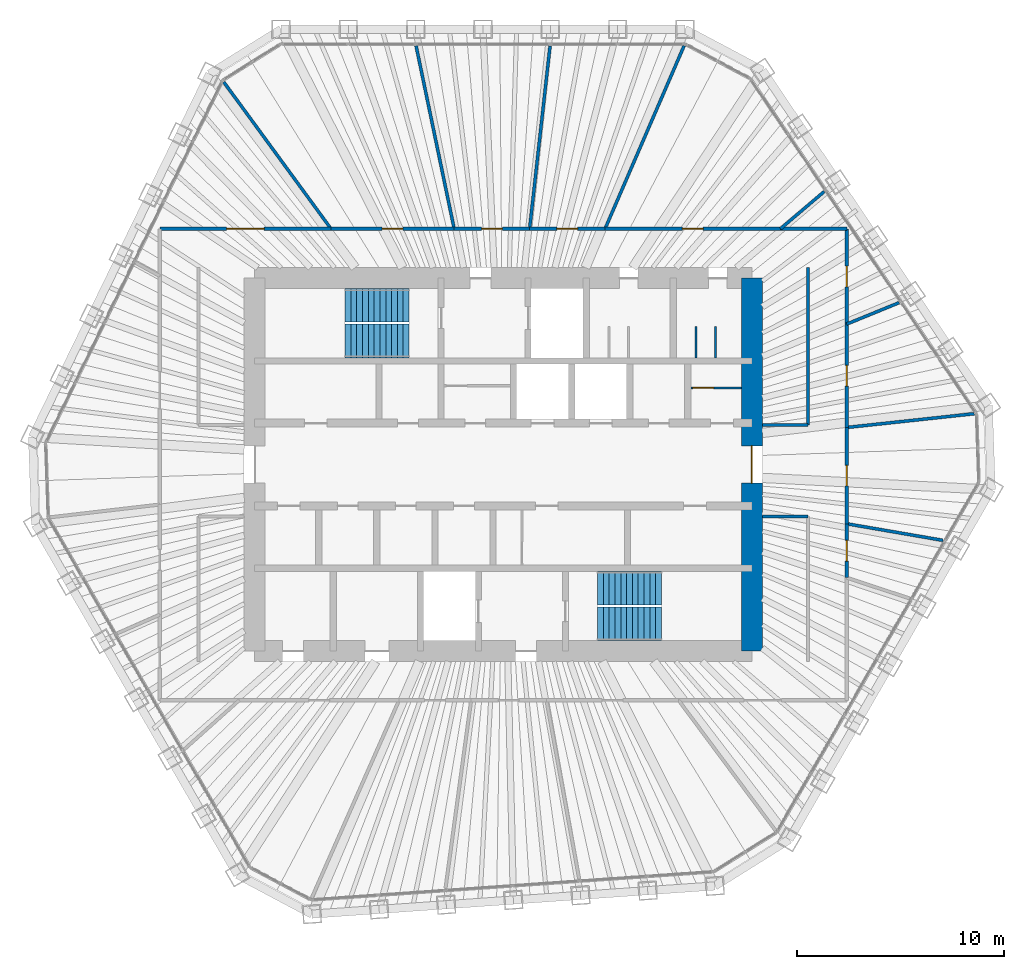
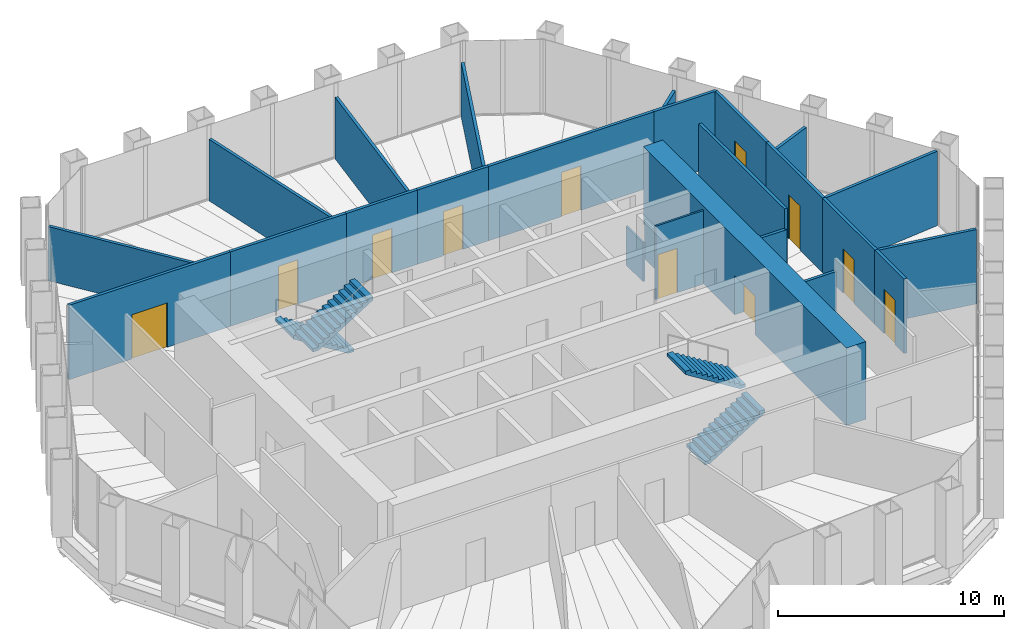
# One storey, part 13 of 14: 25 walls, 11 doors, 4 stair flights, 11 openings, 2 elements without a shape of their own.
"""IFC4 building model written with IfcOpenShell, lengths in metres."""

from ifc_helpers import new_model, si_unit, direction, frame, frame_2d, origin, place, context, subcontext, project, spatial, polyline, rectangle, outline, extrude, material, layer, layer_set, type_object, element, fill, aggregate, save


model = new_model("IFC4")

# Units and contexts
model_context = context("Model", 3, precision=1e-05, world=origin(), true_north=direction((0.0, 1.0)))
body_context = subcontext(model_context, "Body", "Model", "MODEL_VIEW")
ifc_project = project(units=[si_unit("LENGTHUNIT", "METRE"), si_unit("AREAUNIT", "SQUARE_METRE"), si_unit("VOLUMEUNIT", "CUBIC_METRE"), si_unit("PLANEANGLEUNIT", "RADIAN"), si_unit("MASSUNIT", "GRAM", prefix="KILO")], contexts=[model_context])

# Site, building, storey
site_placement = place(None, origin())
site = spatial("IfcSite", under=ifc_project, at=site_placement, CompositionType="ELEMENT")
building_placement = place(site_placement, origin())
building = spatial("IfcBuilding", under=site, at=building_placement, Name="Qingtian Harvest Tower", CompositionType="ELEMENT")
storey_placement = place(building_placement, frame((0.0, 0.0, 278.800048828125)))
storey = spatial("IfcBuildingStorey", under=building, at=storey_placement, Name="L61", CompositionType="ELEMENT", Elevation=278.800048828125)

# Wall, opening, door
ifc_material_1 = material(Name="Concrete fc' 70 MPa", Category="concrete")
ifc_layer_1 = layer(ifc_material_1, 1.0)
ifc_layer_set_1 = layer_set([ifc_layer_1], Name="Core wall RC3 1000")
wall_type_1 = type_object("IfcWallType", Name="Core wall RC3 1000", PredefinedType="SHEAR", material=ifc_layer_set_1)
wall_1_placement = place(storey_placement, frame((12.0, -9.0, 0.0), z_axis=(0.0, 0.0, 1.0), x_axis=(0.0, 1.0, 0.0)))
wall_1 = element("IfcWall", 1, at=wall_1_placement, inside=storey, type_object=wall_type_1, Name="Core wall CE L61", PredefinedType="SHEAR", context=body_context, shape_type="SweptSolid", body=[
    extrude(rectangle(XDim=18.0, YDim=1.0, at=frame_2d((9.0, 0.0))), origin(), (0.0, 0.0, 1.0), 4.199951171875),
])
opening_1_placement = place(wall_1_placement, frame((8.10009765625, 0.0, 0.0)))
opening_1 = element("IfcOpeningElement", 2, at=opening_1_placement, cuts=wall_1, Name="Opening FD2", PredefinedType="OPENING", context=body_context, shape_type="SweptSolid", body=[
    extrude(rectangle(XDim=1.800048828125, YDim=2.10009765625, at=frame_2d((0.89990234375, 1.050048828125))), frame((0.0, 0.510009765625, 0.0), z_axis=(0.0, -1.0, 0.0), x_axis=(1.0, 0.0, 0.0)), (0.0, 0.0, 1.0), 1.02001953125),
])
ifc_material_2 = material(Name="Steel-faced door leaf", Category="steel")
door_type_1 = type_object("IfcDoorType", Name="Fire door FD2 double 1 HR", OperationType="DOUBLE_DOOR_DOUBLE_SWING", PredefinedType="DOOR", material=ifc_material_2)
door_1_placement = place(opening_1_placement, origin())
door_1 = element("IfcDoor", 3, at=door_1_placement, inside=storey, type_object=door_type_1, Name="LOBBY-E door L61", OperationType="DOUBLE_DOOR_DOUBLE_SWING", OverallHeight=2.10009765625, OverallWidth=1.800048828125, PredefinedType="DOOR", context=body_context, shape_type="SweptSolid", body=[
    extrude(rectangle(XDim=1.800048828125, YDim=2.10009765625, at=frame_2d((0.89990234375, 1.050048828125))), frame((0.0, 0.02490234375, 0.0), z_axis=(0.0, -1.0, 0.0), x_axis=(1.0, 0.0, 0.0)), (0.0, 0.0, 1.0), 0.050048828125),
])
fill(opening_1, door_1)

# Wall
ifc_material_3 = material(Name="Gypsum board on steel studs", Category="steel")
ifc_layer_2 = layer(ifc_material_3, 0.14990234375)
ifc_layer_set_2 = layer_set([ifc_layer_2], Name="Partition PT1 150")
wall_type_2 = type_object("IfcWallType", Name="Partition PT1 150", PredefinedType="PARTITIONING", material=ifc_layer_set_2)
wall_2_placement = place(storey_placement, frame((-13.486083984375, 18.455322265625, 0.0), z_axis=(0.0, 0.0, 1.0), x_axis=(0.589997742419, -0.807404894672, 0.0)))
element("IfcWall", 4, at=wall_2_placement, inside=storey, type_object=wall_type_2, Name="Training room wall L61", PredefinedType="PARTITIONING", context=body_context, shape_type="SweptSolid", body=[
    extrude(rectangle(XDim=8.769287109375, YDim=0.14990234375, at=frame_2d((4.384765625, 0.0))), origin(), (0.0, 0.0, 1.0), 2.929931640625),
])

# Wall, opening, door
wall_3_placement = place(storey_placement, frame((-8.312255859375, 11.375, 0.0), z_axis=(0.0, 0.0, 1.0), x_axis=(1.0, 0.0, 0.0)))
wall_3 = element("IfcWall", 5, at=wall_3_placement, inside=storey, type_object=wall_type_2, Name="Training room wall L61", PredefinedType="PARTITIONING", context=body_context, shape_type="SweptSolid", body=[
    extrude(rectangle(XDim=5.944091796875, YDim=0.14990234375, at=frame_2d((2.97216796875, 0.0))), origin(), (0.0, 0.0, 1.0), 4.030029296875),
])
opening_2_placement = place(wall_3_placement, frame((2.47216796875, 0.0, 0.0)))
opening_2 = element("IfcOpeningElement", 6, at=opening_2_placement, cuts=wall_3, Name="Opening D2", PredefinedType="OPENING", context=body_context, shape_type="SweptSolid", body=[
    extrude(rectangle(XDim=1.0, YDim=2.39990234375, at=frame_2d((0.5, 1.199951171875))), frame((0.0, 0.0849609375, 0.0), z_axis=(0.0, -1.0, 0.0), x_axis=(1.0, 0.0, 0.0)), (0.0, 0.0, 1.0), 0.169921875),
])
ifc_material_4 = material(Name="Laminated timber door leaf", Category="wood")
door_type_2 = type_object("IfcDoorType", Name="Room door D2 single", OperationType="SINGLE_SWING_LEFT", PredefinedType="DOOR", material=ifc_material_4)
door_2_placement = place(opening_2_placement, origin())
door_2 = element("IfcDoor", 7, at=door_2_placement, inside=storey, type_object=door_type_2, Name="Training room door L61", OperationType="SINGLE_SWING_RIGHT", OverallHeight=2.39990234375, OverallWidth=1.0, PredefinedType="DOOR", context=body_context, shape_type="SweptSolid", body=[
    extrude(rectangle(XDim=1.0, YDim=2.39990234375, at=frame_2d((0.5, 1.199951171875))), frame((0.0, 0.02490234375, 0.0), z_axis=(0.0, -1.0, 0.0), x_axis=(1.0, 0.0, 0.0)), (0.0, 0.0, 1.0), 0.050048828125),
])
fill(opening_2, door_2)

# Wall
wall_4_placement = place(storey_placement, frame((-4.205810546875, 20.2021484375, 0.0), z_axis=(0.0, 0.0, 1.0), x_axis=(0.203811521205, -0.979010144904, 0.0)))
element("IfcWall", 8, at=wall_4_placement, inside=storey, type_object=wall_type_2, Name="Training room wall L61", PredefinedType="PARTITIONING", context=body_context, shape_type="SweptSolid", body=[
    extrude(rectangle(XDim=9.016357421875, YDim=0.14990234375, at=frame_2d((4.50830078125, 0.0))), origin(), (0.0, 0.0, 1.0), 3.329833984375),
])

# Wall, opening, door
wall_5_placement = place(storey_placement, frame((-2.3681640625, 11.375, 0.0), z_axis=(0.0, 0.0, 1.0), x_axis=(1.0, 0.0, 0.0)))
wall_5 = element("IfcWall", 9, at=wall_5_placement, inside=storey, type_object=wall_type_2, Name="Training room wall L61", PredefinedType="PARTITIONING", context=body_context, shape_type="SweptSolid", body=[
    extrude(rectangle(XDim=3.64013671875, YDim=0.14990234375, at=frame_2d((1.820068359375, 0.0))), origin(), (0.0, 0.0, 1.0), 4.030029296875),
])
opening_3_placement = place(wall_5_placement, frame((1.320068359375, 0.0, 0.0)))
opening_3 = element("IfcOpeningElement", 10, at=opening_3_placement, cuts=wall_5, Name="Opening D2", PredefinedType="OPENING", context=body_context, shape_type="SweptSolid", body=[
    extrude(rectangle(XDim=1.0, YDim=2.39990234375, at=frame_2d((0.5, 1.199951171875))), frame((0.0, 0.0849609375, 0.0), z_axis=(0.0, -1.0, 0.0), x_axis=(1.0, 0.0, 0.0)), (0.0, 0.0, 1.0), 0.169921875),
])
door_3_placement = place(opening_3_placement, origin())
door_3 = element("IfcDoor", 11, at=door_3_placement, inside=storey, type_object=door_type_2, Name="Training room door L61", OperationType="SINGLE_SWING_LEFT", OverallHeight=2.39990234375, OverallWidth=1.0, PredefinedType="DOOR", context=body_context, shape_type="SweptSolid", body=[
    extrude(rectangle(XDim=1.0, YDim=2.39990234375, at=frame_2d((0.5, 1.199951171875))), frame((0.0, 0.02490234375, 0.0), z_axis=(0.0, -1.0, 0.0), x_axis=(1.0, 0.0, 0.0)), (0.0, 0.0, 1.0), 0.050048828125),
])
fill(opening_3, door_3)

# Wall
wall_6_placement = place(storey_placement, frame((2.2587890625, 20.20068359375, 0.0), z_axis=(0.0, 0.0, 1.0), x_axis=(-0.11111945026, -0.993807057619, 0.0)))
element("IfcWall", 12, at=wall_6_placement, inside=storey, type_object=wall_type_2, Name="Training room wall L61", PredefinedType="PARTITIONING", context=body_context, shape_type="SweptSolid", body=[
    extrude(rectangle(XDim=8.880615234375, YDim=0.14990234375, at=frame_2d((4.4404296875, 0.0))), origin(), (0.0, 0.0, 1.0), 3.329833984375),
])

# Wall, opening, door
wall_7_placement = place(storey_placement, frame((1.27197265625, 11.375, 0.0), z_axis=(0.0, 0.0, 1.0), x_axis=(1.0, 0.0, 0.0)))
wall_7 = element("IfcWall", 13, at=wall_7_placement, inside=storey, type_object=wall_type_2, Name="Training room wall L61", PredefinedType="PARTITIONING", context=body_context, shape_type="SweptSolid", body=[
    extrude(rectangle(XDim=3.639892578125, YDim=0.14990234375, at=frame_2d((1.81982421875, 0.0))), origin(), (0.0, 0.0, 1.0), 4.030029296875),
])
opening_4_placement = place(wall_7_placement, frame((1.320068359375, 0.0, 0.0)))
opening_4 = element("IfcOpeningElement", 14, at=opening_4_placement, cuts=wall_7, Name="Opening D2", PredefinedType="OPENING", context=body_context, shape_type="SweptSolid", body=[
    extrude(rectangle(XDim=1.0, YDim=2.39990234375, at=frame_2d((0.5, 1.199951171875))), frame((0.0, 0.0849609375, 0.0), z_axis=(0.0, -1.0, 0.0), x_axis=(1.0, 0.0, 0.0)), (0.0, 0.0, 1.0), 0.169921875),
])
door_4_placement = place(opening_4_placement, origin())
door_4 = element("IfcDoor", 15, at=door_4_placement, inside=storey, type_object=door_type_2, Name="Training room door L61", OperationType="SINGLE_SWING_LEFT", OverallHeight=2.39990234375, OverallWidth=1.0, PredefinedType="DOOR", context=body_context, shape_type="SweptSolid", body=[
    extrude(rectangle(XDim=1.0, YDim=2.39990234375, at=frame_2d((0.5, 1.199951171875))), frame((0.0, 0.02490234375, 0.0), z_axis=(0.0, -1.0, 0.0), x_axis=(1.0, 0.0, 0.0)), (0.0, 0.0, 1.0), 0.050048828125),
])
fill(opening_4, door_4)

# Wall
wall_8_placement = place(storey_placement, frame((8.726318359375, 20.208251953125, 0.0), z_axis=(0.0, 0.0, 1.0), x_axis=(-0.396444279146, -0.918058785445, 0.0)))
element("IfcWall", 16, at=wall_8_placement, inside=storey, type_object=wall_type_2, Name="Private office wall L61", PredefinedType="PARTITIONING", context=body_context, shape_type="SweptSolid", body=[
    extrude(rectangle(XDim=9.62158203125, YDim=0.14990234375, at=frame_2d((4.810791015625, 0.0))), origin(), (0.0, 0.0, 1.0), 2.929931640625),
])

# Wall, opening, door
wall_9_placement = place(storey_placement, frame((4.911865234375, 11.375, 0.0), z_axis=(0.0, 0.0, 1.0), x_axis=(1.0, 0.0, 0.0)))
wall_9 = element("IfcWall", 17, at=wall_9_placement, inside=storey, type_object=wall_type_2, Name="Private office wall L61", PredefinedType="PARTITIONING", context=body_context, shape_type="SweptSolid", body=[
    extrude(rectangle(XDim=8.463134765625, YDim=0.14990234375, at=frame_2d((4.2314453125, 0.0))), origin(), (0.0, 0.0, 1.0), 4.030029296875),
])
opening_5_placement = place(wall_9_placement, frame((3.7314453125, 0.0, 0.0)))
opening_5 = element("IfcOpeningElement", 18, at=opening_5_placement, cuts=wall_9, Name="Opening D2", PredefinedType="OPENING", context=body_context, shape_type="SweptSolid", body=[
    extrude(rectangle(XDim=1.0, YDim=2.39990234375, at=frame_2d((0.5, 1.199951171875))), frame((0.0, 0.0849609375, 0.0), z_axis=(0.0, -1.0, 0.0), x_axis=(1.0, 0.0, 0.0)), (0.0, 0.0, 1.0), 0.169921875),
])
door_5_placement = place(opening_5_placement, origin())
door_5 = element("IfcDoor", 19, at=door_5_placement, inside=storey, type_object=door_type_2, Name="Private office door L61", OperationType="SINGLE_SWING_LEFT", OverallHeight=2.39990234375, OverallWidth=1.0, PredefinedType="DOOR", context=body_context, shape_type="SweptSolid", body=[
    extrude(rectangle(XDim=1.0, YDim=2.39990234375, at=frame_2d((0.5, 1.199951171875))), frame((0.0, 0.02490234375, 0.0), z_axis=(0.0, -1.0, 0.0), x_axis=(1.0, 0.0, 0.0)), (0.0, 0.0, 1.0), 0.050048828125),
])
fill(opening_5, door_5)

# Walls
wall_10_placement = place(storey_placement, frame((15.48388671875, 13.168701171875, 0.0), z_axis=(0.0, 0.0, 1.0), x_axis=(-0.761734753955, -0.647889006403, 0.0)))
element("IfcWall", 20, at=wall_10_placement, inside=storey, type_object=wall_type_2, Name="Private office wall L61", PredefinedType="PARTITIONING", context=body_context, shape_type="SweptSolid", body=[
    extrude(rectangle(XDim=2.7685546875, YDim=0.14990234375, at=frame_2d((1.38427734375, 0.0))), origin(), (0.0, 0.0, 1.0), 3.329833984375),
])
wall_11_placement = place(storey_placement, frame((13.375, 11.375, 0.0), z_axis=(0.0, 0.0, 1.0), x_axis=(1.0, 0.0, 0.0)))
element("IfcWall", 21, at=wall_11_placement, inside=storey, type_object=wall_type_2, Name="Private office wall L61", PredefinedType="PARTITIONING", context=body_context, shape_type="SweptSolid", body=[
    extrude(rectangle(XDim=3.199951171875, YDim=0.14990234375, at=frame_2d((1.60009765625, 0.0))), origin(), (0.0, 0.0, 1.0), 4.030029296875),
])

# Wall, opening, door
wall_12_placement = place(storey_placement, frame((16.574951171875, 11.375, 0.0), z_axis=(0.0, 0.0, 1.0), x_axis=(0.0, -1.0, 0.0)))
wall_12 = element("IfcWall", 22, at=wall_12_placement, inside=storey, type_object=wall_type_2, Name="Private office wall L61", PredefinedType="PARTITIONING", context=body_context, shape_type="SweptSolid", body=[
    extrude(rectangle(XDim=4.597412109375, YDim=0.14990234375, at=frame_2d((2.298828125, 0.0))), origin(), (0.0, 0.0, 1.0), 4.030029296875),
])
opening_6_placement = place(wall_12_placement, frame((1.798828125, 0.0, 0.0)))
opening_6 = element("IfcOpeningElement", 23, at=opening_6_placement, cuts=wall_12, Name="Opening D2", PredefinedType="OPENING", context=body_context, shape_type="SweptSolid", body=[
    extrude(rectangle(XDim=1.0, YDim=2.39990234375, at=frame_2d((0.5, 1.199951171875))), frame((0.0, 0.0849609375, 0.0), z_axis=(0.0, -1.0, 0.0), x_axis=(1.0, 0.0, 0.0)), (0.0, 0.0, 1.0), 0.169921875),
])
door_6_placement = place(opening_6_placement, origin())
door_6 = element("IfcDoor", 24, at=door_6_placement, inside=storey, type_object=door_type_2, Name="Private office door L61", OperationType="SINGLE_SWING_LEFT", OverallHeight=2.39990234375, OverallWidth=1.0, PredefinedType="DOOR", context=body_context, shape_type="SweptSolid", body=[
    extrude(rectangle(XDim=1.0, YDim=2.39990234375, at=frame_2d((0.5, 1.199951171875))), frame((0.0, 0.02490234375, 0.0), z_axis=(0.0, -1.0, 0.0), x_axis=(1.0, 0.0, 0.0)), (0.0, 0.0, 1.0), 0.050048828125),
])
fill(opening_6, door_6)

# Wall
wall_13_placement = place(storey_placement, frame((19.10009765625, 7.81005859375, 0.0), z_axis=(0.0, 0.0, 1.0), x_axis=(-0.925616791812, -0.378462091518, 0.0)))
element("IfcWall", 25, at=wall_13_placement, inside=storey, type_object=wall_type_2, Name="Workplace zone wall L61", PredefinedType="PARTITIONING", context=body_context, shape_type="SweptSolid", body=[
    extrude(rectangle(XDim=2.72802734375, YDim=0.14990234375, at=frame_2d((1.364013671875, 0.0))), origin(), (0.0, 0.0, 1.0), 3.329833984375),
])

# Wall, opening, door
wall_14_placement = place(storey_placement, frame((16.574951171875, 6.777587890625, 0.0), z_axis=(0.0, 0.0, 1.0), x_axis=(0.0, -1.0, 0.0)))
wall_14 = element("IfcWall", 26, at=wall_14_placement, inside=storey, type_object=wall_type_2, Name="Workplace zone wall L61", PredefinedType="PARTITIONING", context=body_context, shape_type="SweptSolid", body=[
    extrude(rectangle(XDim=4.989501953125, YDim=0.14990234375, at=frame_2d((2.49462890625, 0.0))), origin(), (0.0, 0.0, 1.0), 4.030029296875),
])
opening_7_placement = place(wall_14_placement, frame((1.99462890625, 0.0, 0.0)))
opening_7 = element("IfcOpeningElement", 27, at=opening_7_placement, cuts=wall_14, Name="Opening D2", PredefinedType="OPENING", context=body_context, shape_type="SweptSolid", body=[
    extrude(rectangle(XDim=1.0, YDim=2.39990234375, at=frame_2d((0.5, 1.199951171875))), frame((0.0, 0.0849609375, 0.0), z_axis=(0.0, -1.0, 0.0), x_axis=(1.0, 0.0, 0.0)), (0.0, 0.0, 1.0), 0.169921875),
])
door_7_placement = place(opening_7_placement, origin())
door_7 = element("IfcDoor", 28, at=door_7_placement, inside=storey, type_object=door_type_2, Name="Workplace zone door L61", OperationType="SINGLE_SWING_RIGHT", OverallHeight=2.39990234375, OverallWidth=1.0, PredefinedType="DOOR", context=body_context, shape_type="SweptSolid", body=[
    extrude(rectangle(XDim=1.0, YDim=2.39990234375, at=frame_2d((0.5, 1.199951171875))), frame((0.0, 0.02490234375, 0.0), z_axis=(0.0, -1.0, 0.0), x_axis=(1.0, 0.0, 0.0)), (0.0, 0.0, 1.0), 0.050048828125),
])
fill(opening_7, door_7)

# Wall
wall_15_placement = place(storey_placement, frame((22.725830078125, 2.45166015625, 0.0), z_axis=(0.0, 0.0, 1.0), x_axis=(-0.994230957157, -0.107260448581, 0.0)))
element("IfcWall", 29, at=wall_15_placement, inside=storey, type_object=wall_type_2, Name="Quiet room wall L61", PredefinedType="PARTITIONING", context=body_context, shape_type="SweptSolid", body=[
    extrude(rectangle(XDim=6.1865234375, YDim=0.14990234375, at=frame_2d((3.09326171875, 0.0))), origin(), (0.0, 0.0, 1.0), 4.030029296875),
])

# Wall, opening, door
wall_16_placement = place(storey_placement, frame((16.574951171875, 1.7880859375, 0.0), z_axis=(0.0, 0.0, 1.0), x_axis=(0.0, -1.0, 0.0)))
wall_16 = element("IfcWall", 30, at=wall_16_placement, inside=storey, type_object=wall_type_2, Name="Quiet room wall L61", PredefinedType="PARTITIONING", context=body_context, shape_type="SweptSolid", body=[
    extrude(rectangle(XDim=4.647216796875, YDim=0.14990234375, at=frame_2d((2.32373046875, 0.0))), origin(), (0.0, 0.0, 1.0), 4.030029296875),
])
opening_8_placement = place(wall_16_placement, frame((1.82373046875, 0.0, 0.0)))
opening_8 = element("IfcOpeningElement", 31, at=opening_8_placement, cuts=wall_16, Name="Opening D2", PredefinedType="OPENING", context=body_context, shape_type="SweptSolid", body=[
    extrude(rectangle(XDim=1.0, YDim=2.39990234375, at=frame_2d((0.5, 1.199951171875))), frame((0.0, 0.0849609375, 0.0), z_axis=(0.0, -1.0, 0.0), x_axis=(1.0, 0.0, 0.0)), (0.0, 0.0, 1.0), 0.169921875),
])
door_8_placement = place(opening_8_placement, origin())
door_8 = element("IfcDoor", 32, at=door_8_placement, inside=storey, type_object=door_type_2, Name="Quiet room door L61", OperationType="SINGLE_SWING_RIGHT", OverallHeight=2.39990234375, OverallWidth=1.0, PredefinedType="DOOR", context=body_context, shape_type="SweptSolid", body=[
    extrude(rectangle(XDim=1.0, YDim=2.39990234375, at=frame_2d((0.5, 1.199951171875))), frame((0.0, 0.02490234375, 0.0), z_axis=(0.0, -1.0, 0.0), x_axis=(1.0, 0.0, 0.0)), (0.0, 0.0, 1.0), 0.050048828125),
])
fill(opening_8, door_8)

# Wall
wall_17_placement = place(storey_placement, frame((21.218994140625, -3.66015625, 0.0), z_axis=(0.0, 0.0, 1.0), x_axis=(-0.985448448161, 0.16997457462, 0.0)))
element("IfcWall", 33, at=wall_17_placement, inside=storey, type_object=wall_type_2, Name="Store room wall L61", PredefinedType="PARTITIONING", context=body_context, shape_type="SweptSolid", body=[
    extrude(rectangle(XDim=4.712646484375, YDim=0.14990234375, at=frame_2d((2.3564453125, 0.0))), origin(), (0.0, 0.0, 1.0), 4.030029296875),
])

# Wall, opening, door
wall_18_placement = place(storey_placement, frame((16.574951171875, -2.859130859375, 0.0), z_axis=(0.0, 0.0, 1.0), x_axis=(0.0, -1.0, 0.0)))
wall_18 = element("IfcWall", 34, at=wall_18_placement, inside=storey, type_object=wall_type_2, Name="Store room wall L61", PredefinedType="PARTITIONING", context=body_context, shape_type="SweptSolid", body=[
    extrude(rectangle(XDim=2.603271484375, YDim=0.14990234375, at=frame_2d((1.3017578125, 0.0))), origin(), (0.0, 0.0, 1.0), 4.030029296875),
])
opening_9_placement = place(wall_18_placement, frame((0.801513671875, 0.0, 0.0)))
opening_9 = element("IfcOpeningElement", 35, at=opening_9_placement, cuts=wall_18, Name="Opening D2", PredefinedType="OPENING", context=body_context, shape_type="SweptSolid", body=[
    extrude(rectangle(XDim=1.0, YDim=2.39990234375, at=frame_2d((0.5, 1.199951171875))), frame((0.0, 0.0849609375, 0.0), z_axis=(0.0, -1.0, 0.0), x_axis=(1.0, 0.0, 0.0)), (0.0, 0.0, 1.0), 0.169921875),
])
door_9_placement = place(opening_9_placement, origin())
door_9 = element("IfcDoor", 36, at=door_9_placement, inside=storey, type_object=door_type_2, Name="Store room door L61", OperationType="SINGLE_SWING_RIGHT", OverallHeight=2.39990234375, OverallWidth=1.0, PredefinedType="DOOR", context=body_context, shape_type="SweptSolid", body=[
    extrude(rectangle(XDim=1.0, YDim=2.39990234375, at=frame_2d((0.5, 1.199951171875))), frame((0.0, 0.02490234375, 0.0), z_axis=(0.0, -1.0, 0.0), x_axis=(1.0, 0.0, 0.0)), (0.0, 0.0, 1.0), 0.050048828125),
])
fill(opening_9, door_9)

wall_19_placement = place(storey_placement, frame((-16.574951171875, 11.375, 0.0), z_axis=(0.0, 0.0, 1.0), x_axis=(1.0, 0.0, 0.0)))
wall_19 = element("IfcWall", 37, at=wall_19_placement, inside=storey, type_object=wall_type_2, Name="Workplace zone wall L61", PredefinedType="PARTITIONING", context=body_context, shape_type="SweptSolid", body=[
    extrude(rectangle(XDim=8.2626953125, YDim=0.14990234375, at=frame_2d((4.13134765625, 0.0))), origin(), (0.0, 0.0, 1.0), 4.030029296875),
])
opening_10_placement = place(wall_19_placement, frame((3.2314453125, 0.0, 0.0)))
opening_10 = element("IfcOpeningElement", 38, at=opening_10_placement, cuts=wall_19, Name="Opening D3", PredefinedType="OPENING", context=body_context, shape_type="SweptSolid", body=[
    extrude(rectangle(XDim=1.800048828125, YDim=2.39990234375, at=frame_2d((0.89990234375, 1.199951171875))), frame((0.0, 0.0849609375, 0.0), z_axis=(0.0, -1.0, 0.0), x_axis=(1.0, 0.0, 0.0)), (0.0, 0.0, 1.0), 0.169921875),
])
ifc_material_5 = material(Name="Laminated timber door leaf", Category="wood")
door_type_3 = type_object("IfcDoorType", Name="Room door D3 double", OperationType="DOUBLE_DOOR_DOUBLE_SWING", PredefinedType="DOOR", material=ifc_material_5)
door_10_placement = place(opening_10_placement, origin())
door_10 = element("IfcDoor", 39, at=door_10_placement, inside=storey, type_object=door_type_3, Name="Workplace zone door L61", OperationType="DOUBLE_DOOR_DOUBLE_SWING", OverallHeight=2.39990234375, OverallWidth=1.800048828125, PredefinedType="DOOR", context=body_context, shape_type="SweptSolid", body=[
    extrude(rectangle(XDim=1.800048828125, YDim=2.39990234375, at=frame_2d((0.89990234375, 1.199951171875))), frame((0.0, 0.02490234375, 0.0), z_axis=(0.0, -1.0, 0.0), x_axis=(1.0, 0.0, 0.0)), (0.0, 0.0, 1.0), 0.050048828125),
])
fill(opening_10, door_10)

# Walls
wall_20_placement = place(storey_placement, frame((14.699951171875, 1.89990234375, 0.0), z_axis=(0.0, 0.0, 1.0), x_axis=(0.0, 1.0, 0.0)))
element("IfcWall", 40, at=wall_20_placement, inside=storey, type_object=wall_type_2, Name="Coffee point wall L61", PredefinedType="PARTITIONING", context=body_context, shape_type="SweptSolid", body=[
    extrude(rectangle(XDim=7.60009765625, YDim=0.14990234375, at=frame_2d((3.800048828125, 0.0))), origin(), (0.0, 0.0, 1.0), 4.030029296875),
])
wall_21_placement = place(storey_placement, frame((12.5, 1.89990234375, 0.0), z_axis=(0.0, 0.0, 1.0), x_axis=(1.0, 0.0, 0.0)))
element("IfcWall", 41, at=wall_21_placement, inside=storey, type_object=wall_type_2, Name="Coffee point wall L61", PredefinedType="PARTITIONING", context=body_context, shape_type="SweptSolid", body=[
    extrude(rectangle(XDim=2.199951171875, YDim=0.14990234375, at=frame_2d((1.10009765625, 0.0))), origin(), (0.0, 0.0, 1.0), 2.929931640625),
])
wall_22_placement = place(storey_placement, frame((12.5, -2.5, 0.0), z_axis=(0.0, 0.0, 1.0), x_axis=(1.0, 0.0, 0.0)))
element("IfcWall", 42, at=wall_22_placement, inside=storey, type_object=wall_type_2, Name="Print area wall L61", PredefinedType="PARTITIONING", context=body_context, shape_type="SweptSolid", body=[
    extrude(rectangle(XDim=2.199951171875, YDim=0.14990234375, at=frame_2d((1.10009765625, 0.0))), origin(), (0.0, 0.0, 1.0), 3.329833984375),
])

# Wall, opening, door
ifc_material_6 = material(Name="Concrete block partition", Category="concrete")
ifc_layer_3 = layer(ifc_material_6, 0.10009765625)
ifc_layer_set_3 = layer_set([ifc_layer_3], Name="Store partition PT3 100")
wall_type_3 = type_object("IfcWallType", Name="Store partition PT3 100", PredefinedType="PARTITIONING", material=ifc_layer_set_3)
wall_23_placement = place(storey_placement, frame((9.050048828125, 3.699951171875, 0.0), z_axis=(0.0, 0.0, 1.0), x_axis=(1.0, 0.0, 0.0)))
wall_23 = element("IfcWall", 43, at=wall_23_placement, inside=storey, type_object=wall_type_3, Name="Filter plant room wall L61", PredefinedType="PARTITIONING", context=body_context, shape_type="SweptSolid", body=[
    extrude(rectangle(XDim=2.449951171875, YDim=0.10009765625, at=frame_2d((1.22509765625, 0.0))), origin(), (0.0, 0.0, 1.0), 3.97998046875),
])
opening_11_placement = place(wall_23_placement, frame((0.10009765625, 0.0, 0.0)))
opening_11 = element("IfcOpeningElement", 44, at=opening_11_placement, cuts=wall_23, Name="Opening D2", PredefinedType="OPENING", context=body_context, shape_type="SweptSolid", body=[
    extrude(rectangle(XDim=1.0, YDim=2.39990234375, at=frame_2d((0.5, 1.199951171875))), frame((0.0, 0.06005859375, 0.0), z_axis=(0.0, -1.0, 0.0), x_axis=(1.0, 0.0, 0.0)), (0.0, 0.0, 1.0), 0.1201171875),
])
door_11_placement = place(opening_11_placement, origin())
door_11 = element("IfcDoor", 45, at=door_11_placement, inside=storey, type_object=door_type_2, Name="Filter plant room door L61", OperationType="SINGLE_SWING_RIGHT", OverallHeight=2.39990234375, OverallWidth=1.0, PredefinedType="DOOR", context=body_context, shape_type="SweptSolid", body=[
    extrude(rectangle(XDim=1.0, YDim=2.39990234375, at=frame_2d((0.5, 1.199951171875))), frame((0.0, 0.02490234375, 0.0), z_axis=(0.0, -1.0, 0.0), x_axis=(1.0, 0.0, 0.0)), (0.0, 0.0, 1.0), 0.050048828125),
])
fill(opening_11, door_11)

# Walls
ifc_material_7 = material(Name="Compact laminate cubicle partition", Category="plastic")
ifc_layer_4 = layer(ifc_material_7, 0.10009765625)
ifc_layer_set_4 = layer_set([ifc_layer_4], Name="WC cubicle partition WP1 100")
wall_type_4 = type_object("IfcWallType", Name="WC cubicle partition WP1 100", PredefinedType="PARTITIONING", material=ifc_layer_set_4)
for number, where, z_axis, x_axis, name in (
    (46, (9.300048828125, 5.14990234375, 0.0), (0.0, 0.0, 1.0), (0.0, 1.0, 0.0), "WC cubicle partition WCF L61"),
    (47, (10.25, 5.14990234375, 0.0), (0.0, 0.0, 1.0), (0.0, 1.0, 0.0), "WC cubicle partition WCF L61"),
):
    element("IfcWall", number, at=place(storey_placement, frame(where, z_axis=z_axis, x_axis=x_axis)), inside=storey, type_object=wall_type_4, Name=name, PredefinedType="PARTITIONING", context=body_context, shape_type="SweptSolid", body=[
        extrude(rectangle(XDim=1.5, YDim=0.10009765625, at=frame_2d((0.75, 0.0))), origin(), (0.0, 0.0, 1.0), 2.099853515625),
    ])

# Stair, stair flights
ifc_material_8 = material(Name="Concrete fc' 35 MPa", Category="concrete")
stair_type = type_object("IfcStairType", Name="Special stair ST6 4200", PredefinedType="HALF_TURN_STAIR", material=ifc_material_8)
stair_1_placement = place(storey_placement, origin())
stair_1 = element("IfcStair", 48, at=stair_1_placement, inside=storey, type_object=stair_type, Name="Special stair S1 L61", PredefinedType="HALF_TURN_STAIR")
ifc_material_9 = material(Name="Concrete fc' 35 MPa", Category="concrete")
stair_flight_type = type_object("IfcStairFlightType", Name="Stair flight SF6 4200", PredefinedType="STRAIGHT", material=ifc_material_9)
stair_flight_1_placement = place(storey_placement, frame((-4.550048828125, 7.6875, 0.0), z_axis=(0.0, 0.0, 1.0), x_axis=(-1.0, 0.0, 0.0)))
stair_flight_1 = element("IfcStairFlight", 49, at=stair_flight_1_placement, type_object=stair_flight_type, Name="S1 flight 1", NumberOfRisers=12, NumberOfTreads=11, PredefinedType="STRAIGHT", RiserHeight=0.175, TreadLength=0.28, context=body_context, shape_type="SweptSolid", body=[
    extrude(outline(polyline([(0.0, 0.0), (0.0, 0.175048828125), (0.280029296875, 0.175048828125), (0.280029296875, 0.35009765625), (0.56005859375, 0.35009765625), (0.56005859375, 0.52490234375), (0.840087890625, 0.52490234375), (0.840087890625, 0.699951171875), (1.1201171875, 0.699951171875), (1.1201171875, 0.875), (1.39990234375, 0.875), (1.39990234375, 1.050048828125), (1.679931640625, 1.050048828125), (1.679931640625, 1.22509765625), (1.9599609375, 1.22509765625), (1.9599609375, 1.39990234375), (2.239990234375, 1.39990234375), (2.239990234375, 1.574951171875), (2.52001953125, 1.574951171875), (2.52001953125, 1.75), (2.800048828125, 1.75), (2.800048828125, 1.925048828125), (3.080078125, 1.925048828125), (3.080078125, 2.10009765625), (3.080078125, 1.748291015625), (0.28271484375, 0.0), (0.0, 0.0)])), frame((0.0, 0.8125, 0.0), z_axis=(0.0, -1.0, 0.0), x_axis=(1.0, 0.0, 0.0)), (0.0, 0.0, 1.0), 1.625),
])
stair_flight_2_placement = place(storey_placement, frame((-7.6298828125, 5.96240234375, 2.099853515625), z_axis=(0.0, 0.0, 1.0), x_axis=(1.0, 0.0, 0.0)))
stair_flight_2 = element("IfcStairFlight", 50, at=stair_flight_2_placement, type_object=stair_flight_type, Name="S1 flight 2", NumberOfRisers=12, NumberOfTreads=11, PredefinedType="STRAIGHT", RiserHeight=0.175, TreadLength=0.28, context=body_context, shape_type="SweptSolid", body=[
    extrude(outline(polyline([(0.0, 0.0), (0.0, 0.175048828125), (0.280029296875, 0.175048828125), (0.280029296875, 0.35009765625), (0.56005859375, 0.35009765625), (0.56005859375, 0.52490234375), (0.840087890625, 0.52490234375), (0.840087890625, 0.699951171875), (1.1201171875, 0.699951171875), (1.1201171875, 0.875), (1.39990234375, 0.875), (1.39990234375, 1.050048828125), (1.679931640625, 1.050048828125), (1.679931640625, 1.22509765625), (1.9599609375, 1.22509765625), (1.9599609375, 1.39990234375), (2.239990234375, 1.39990234375), (2.239990234375, 1.574951171875), (2.52001953125, 1.574951171875), (2.52001953125, 1.75), (2.800048828125, 1.75), (2.800048828125, 1.925048828125), (3.080078125, 1.925048828125), (3.080078125, 2.10009765625), (3.080078125, 1.748291015625), (0.28271484375, 0.0), (0.0, 0.0)])), frame((0.0, 0.8125, 0.0), z_axis=(0.0, -1.0, 0.0), x_axis=(1.0, 0.0, 0.0)), (0.0, 0.0, 1.0), 1.625),
])
aggregate(stair_1, [stair_flight_1, stair_flight_2])

stair_2_placement = place(storey_placement, origin())
stair_2 = element("IfcStair", 51, at=stair_2_placement, inside=storey, type_object=stair_type, Name="Special stair S2 L61", PredefinedType="HALF_TURN_STAIR")
stair_flight_3_placement = place(storey_placement, frame((4.550048828125, -7.6875, 0.0), z_axis=(0.0, 0.0, 1.0), x_axis=(1.0, 0.0, 0.0)))
stair_flight_3 = element("IfcStairFlight", 52, at=stair_flight_3_placement, type_object=stair_flight_type, Name="S2 flight 1", NumberOfRisers=12, NumberOfTreads=11, PredefinedType="STRAIGHT", RiserHeight=0.175, TreadLength=0.28, context=body_context, shape_type="SweptSolid", body=[
    extrude(outline(polyline([(0.0, 0.0), (0.0, 0.175048828125), (0.280029296875, 0.175048828125), (0.280029296875, 0.35009765625), (0.56005859375, 0.35009765625), (0.56005859375, 0.52490234375), (0.840087890625, 0.52490234375), (0.840087890625, 0.699951171875), (1.1201171875, 0.699951171875), (1.1201171875, 0.875), (1.39990234375, 0.875), (1.39990234375, 1.050048828125), (1.679931640625, 1.050048828125), (1.679931640625, 1.22509765625), (1.9599609375, 1.22509765625), (1.9599609375, 1.39990234375), (2.239990234375, 1.39990234375), (2.239990234375, 1.574951171875), (2.52001953125, 1.574951171875), (2.52001953125, 1.75), (2.800048828125, 1.75), (2.800048828125, 1.925048828125), (3.080078125, 1.925048828125), (3.080078125, 2.10009765625), (3.080078125, 1.748291015625), (0.28271484375, 0.0), (0.0, 0.0)])), frame((0.0, 0.8125, 0.0), z_axis=(0.0, -1.0, 0.0), x_axis=(1.0, 0.0, 0.0)), (0.0, 0.0, 1.0), 1.625),
])
stair_flight_4_placement = place(storey_placement, frame((7.6298828125, -5.96240234375, 2.099853515625), z_axis=(0.0, 0.0, 1.0), x_axis=(-1.0, 0.0, 0.0)))
stair_flight_4 = element("IfcStairFlight", 53, at=stair_flight_4_placement, type_object=stair_flight_type, Name="S2 flight 2", NumberOfRisers=12, NumberOfTreads=11, PredefinedType="STRAIGHT", RiserHeight=0.175, TreadLength=0.28, context=body_context, shape_type="SweptSolid", body=[
    extrude(outline(polyline([(0.0, 0.0), (0.0, 0.175048828125), (0.280029296875, 0.175048828125), (0.280029296875, 0.35009765625), (0.56005859375, 0.35009765625), (0.56005859375, 0.52490234375), (0.840087890625, 0.52490234375), (0.840087890625, 0.699951171875), (1.1201171875, 0.699951171875), (1.1201171875, 0.875), (1.39990234375, 0.875), (1.39990234375, 1.050048828125), (1.679931640625, 1.050048828125), (1.679931640625, 1.22509765625), (1.9599609375, 1.22509765625), (1.9599609375, 1.39990234375), (2.239990234375, 1.39990234375), (2.239990234375, 1.574951171875), (2.52001953125, 1.574951171875), (2.52001953125, 1.75), (2.800048828125, 1.75), (2.800048828125, 1.925048828125), (3.080078125, 1.925048828125), (3.080078125, 2.10009765625), (3.080078125, 1.748291015625), (0.28271484375, 0.0), (0.0, 0.0)])), frame((0.0, 0.8125, 0.0), z_axis=(0.0, -1.0, 0.0), x_axis=(1.0, 0.0, 0.0)), (0.0, 0.0, 1.0), 1.625),
])
aggregate(stair_2, [stair_flight_3, stair_flight_4])

save(model, "model.ifc")
